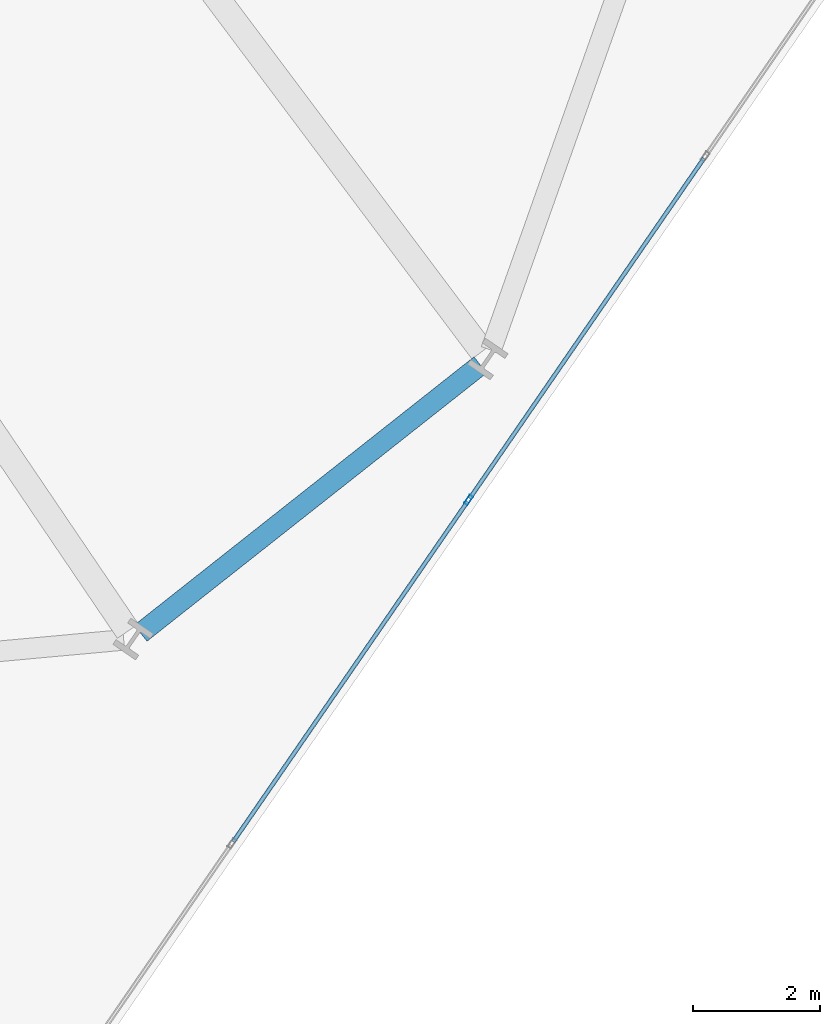
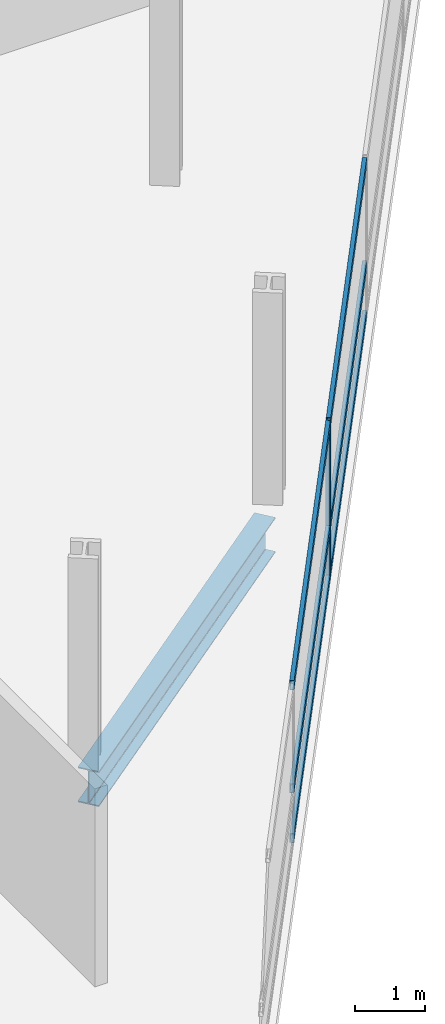
# One storey, part 7 of 25: 7 members, 1 beam, 1 element without a shape of its own.
"""IFC4 building model written with IfcOpenShell, lengths in metres."""

from ifc_helpers import new_model, si_unit, direction, frame, origin, origin_2d, place, context, subcontext, project, spatial, hollow_rectangle, i_section, extrude, material, layer, layer_set, material_profile, profile_set, type_object, element, aggregate, save


model = new_model("IFC4")

# Units and contexts
model_context = context("Model", 3, precision=1e-05, world=origin(), true_north=direction((0.0, 1.0)))
body_context = subcontext(model_context, "Body", "Model", "MODEL_VIEW")
ifc_project = project(units=[si_unit("LENGTHUNIT", "METRE"), si_unit("AREAUNIT", "SQUARE_METRE"), si_unit("VOLUMEUNIT", "CUBIC_METRE"), si_unit("PLANEANGLEUNIT", "RADIAN"), si_unit("MASSUNIT", "GRAM", prefix="KILO")], contexts=[model_context])

# Site, building, storey
site_placement = place(None, origin())
site = spatial("IfcSite", under=ifc_project, at=site_placement, CompositionType="ELEMENT")
building_placement = place(site_placement, origin())
building = spatial("IfcBuilding", under=site, at=building_placement, Name="Varnelok Gate Tower", CompositionType="ELEMENT")
storey_placement = place(building_placement, frame((0.0, 0.0, 56.60009765625)))
storey = spatial("IfcBuildingStorey", under=building, at=storey_placement, Name="L13", CompositionType="ELEMENT", Elevation=56.60009765625)

# Beam
ifc_material_1 = material(Name="Structural Steel ASTM A992 Grade 50", Category="steel")
ifc_material_profile_1 = material_profile(ifc_material_1, i_section(OverallWidth=0.323974609375, OverallDepth=0.611083984375, WebThickness=0.0126953125, FlangeThickness=0.01904296875, FilletRadius=0.01806640625, at=origin_2d()), Name="W24X104")
ifc_profile_set_1 = profile_set([ifc_material_profile_1], Name="Structural Steel ASTM A992 Grade 50")
beam_type = type_object("IfcBeamType", Name="BM-SPN-W24X104", PredefinedType="SPANDREL", material=ifc_profile_set_1)
beam_placement = place(storey_placement, frame((66.202392578125, 1.045654296875, -0.5556640625), z_axis=(0.784860761341, 0.619672159538, 0.0), x_axis=(-0.619672159538, 0.784860761341, 0.0)))
element("IfcBeam", 1, at=beam_placement, inside=storey, type_object=beam_type, Name="L13 Perimeter Spandrel Beam 6", PredefinedType="SPANDREL", context=body_context, shape_type="SweptSolid", body=[
    extrude(i_section(OverallWidth=0.323974609375, OverallDepth=0.611083984375, WebThickness=0.0126953125, FlangeThickness=0.01904296875, FilletRadius=0.01806640625, at=origin_2d()), origin(), (0.0, 0.0, 1.0), 6.81640625),
])

# Curtain wall, members
ifc_material_2 = material(Name="Anodized Aluminum Alloy 6063-T6", Category="aluminium")
ifc_layer = layer(ifc_material_2, 0.179931640625)
ifc_layer_set = layer_set([ifc_layer], Name="Anodized Aluminum Alloy 6063-T6")
curtain_wall_type = type_object("IfcCurtainWallType", Name="CW3-HOTEL-VISION", PredefinedType="USERDEFINED", material=ifc_layer_set)
curtain_wall_placement = place(storey_placement, origin())
curtain_wall = element("IfcCurtainWall", 2, at=curtain_wall_placement, inside=storey, type_object=curtain_wall_type, Name="L13 East End Vision Curtain Wall", ObjectType="UNITISED CURTAIN WALL", PredefinedType="USERDEFINED")
ifc_material_profile_2 = material_profile(ifc_material_2, hollow_rectangle(XDim=0.06494140625, YDim=0.159912109375, WallThickness=0.00390625, at=origin_2d()), Name="ALU160X65X4")
ifc_profile_set_2 = profile_set([ifc_material_profile_2], Name="Anodized Aluminum Alloy 6063-T6")
member_type_1 = type_object("IfcMemberType", Name="CW-MULL-160", PredefinedType="MULLION", material=ifc_profile_set_2)
member_1_placement = place(storey_placement, frame((71.3671875, 3.142578125, 0.0), z_axis=(0.0, 0.0, 1.0), x_axis=(0.823532685111, -0.567268822124, 0.0)))
member_1 = element("IfcMember", 3, at=member_1_placement, type_object=member_type_1, Name="CW3 mullion 4", PredefinedType="MULLION", context=body_context, shape_type="SweptSolid", body=[
    extrude(hollow_rectangle(XDim=0.06494140625, YDim=0.159912109375, WallThickness=0.00390625, at=origin_2d()), origin(), (0.0, 0.0, 1.0), 2.72998046875),
])
ifc_material_profile_3 = material_profile(ifc_material_2, hollow_rectangle(XDim=0.06494140625, YDim=0.159912109375, WallThickness=0.00390625, at=origin_2d()), Name="ALU160X65X4")
ifc_profile_set_3 = profile_set([ifc_material_profile_3], Name="Anodized Aluminum Alloy 6063-T6")
member_type_2 = type_object("IfcMemberType", Name="CW-TRAN-160", PredefinedType="USERDEFINED", material=ifc_profile_set_3)
member_2_placement = place(storey_placement, frame((75.07373046875, 8.523681640625, 0.032470703125), z_axis=(-0.56723619486, -0.82355515859, 0.0), x_axis=(0.82355515859, -0.56723619486, 0.0)))
member_2 = element("IfcMember", 4, at=member_2_placement, type_object=member_type_2, Name="CW3 transom 3.1", ObjectType="TRANSOM", PredefinedType="USERDEFINED", context=body_context, shape_type="SweptSolid", body=[
    extrude(hollow_rectangle(XDim=0.06494140625, YDim=0.159912109375, WallThickness=0.00390625, at=origin_2d()), origin(), (0.0, 0.0, 1.0), 6.501708984375),
])
member_3_placement = place(storey_placement, frame((75.07373046875, 8.523681640625, 0.89990234375), z_axis=(-0.56723619486, -0.82355515859, 0.0), x_axis=(0.82355515859, -0.56723619486, 0.0)))
member_3 = element("IfcMember", 5, at=member_3_placement, type_object=member_type_2, Name="CW3 transom 3.2", ObjectType="TRANSOM", PredefinedType="USERDEFINED", context=body_context, shape_type="SweptSolid", body=[
    extrude(hollow_rectangle(XDim=0.06494140625, YDim=0.159912109375, WallThickness=0.00390625, at=origin_2d()), origin(), (0.0, 0.0, 1.0), 6.501708984375),
])
member_4_placement = place(storey_placement, frame((75.07373046875, 8.523681640625, 2.697509765625), z_axis=(-0.56723619486, -0.82355515859, 0.0), x_axis=(0.82355515859, -0.56723619486, 0.0)))
member_4 = element("IfcMember", 6, at=member_4_placement, type_object=member_type_2, Name="CW3 transom 3.3", ObjectType="TRANSOM", PredefinedType="USERDEFINED", context=body_context, shape_type="SweptSolid", body=[
    extrude(hollow_rectangle(XDim=0.06494140625, YDim=0.159912109375, WallThickness=0.00390625, at=origin_2d()), origin(), (0.0, 0.0, 1.0), 6.501708984375),
])
member_5_placement = place(storey_placement, frame((71.348876953125, 3.11572265625, 0.032470703125), z_axis=(-0.567279204469, -0.823525533409, 0.0), x_axis=(0.823525533409, -0.567279204469, 0.0)))
member_5 = element("IfcMember", 7, at=member_5_placement, type_object=member_type_2, Name="CW3 transom 4.1", ObjectType="TRANSOM", PredefinedType="USERDEFINED", context=body_context, shape_type="SweptSolid", body=[
    extrude(hollow_rectangle(XDim=0.06494140625, YDim=0.159912109375, WallThickness=0.00390625, at=origin_2d()), origin(), (0.0, 0.0, 1.0), 6.501708984375),
])
member_6_placement = place(storey_placement, frame((71.348876953125, 3.11572265625, 0.89990234375), z_axis=(-0.567279204469, -0.823525533409, 0.0), x_axis=(0.823525533409, -0.567279204469, 0.0)))
member_6 = element("IfcMember", 8, at=member_6_placement, type_object=member_type_2, Name="CW3 transom 4.2", ObjectType="TRANSOM", PredefinedType="USERDEFINED", context=body_context, shape_type="SweptSolid", body=[
    extrude(hollow_rectangle(XDim=0.06494140625, YDim=0.159912109375, WallThickness=0.00390625, at=origin_2d()), origin(), (0.0, 0.0, 1.0), 6.501708984375),
])
member_7_placement = place(storey_placement, frame((71.348876953125, 3.11572265625, 2.697509765625), z_axis=(-0.567279204469, -0.823525533409, 0.0), x_axis=(0.823525533409, -0.567279204469, 0.0)))
member_7 = element("IfcMember", 9, at=member_7_placement, type_object=member_type_2, Name="CW3 transom 4.3", ObjectType="TRANSOM", PredefinedType="USERDEFINED", context=body_context, shape_type="SweptSolid", body=[
    extrude(hollow_rectangle(XDim=0.06494140625, YDim=0.159912109375, WallThickness=0.00390625, at=origin_2d()), origin(), (0.0, 0.0, 1.0), 6.501708984375),
])
aggregate(curtain_wall, [member_1, member_2, member_3, member_4, member_5, member_6, member_7])

save(model, "model.ifc")
